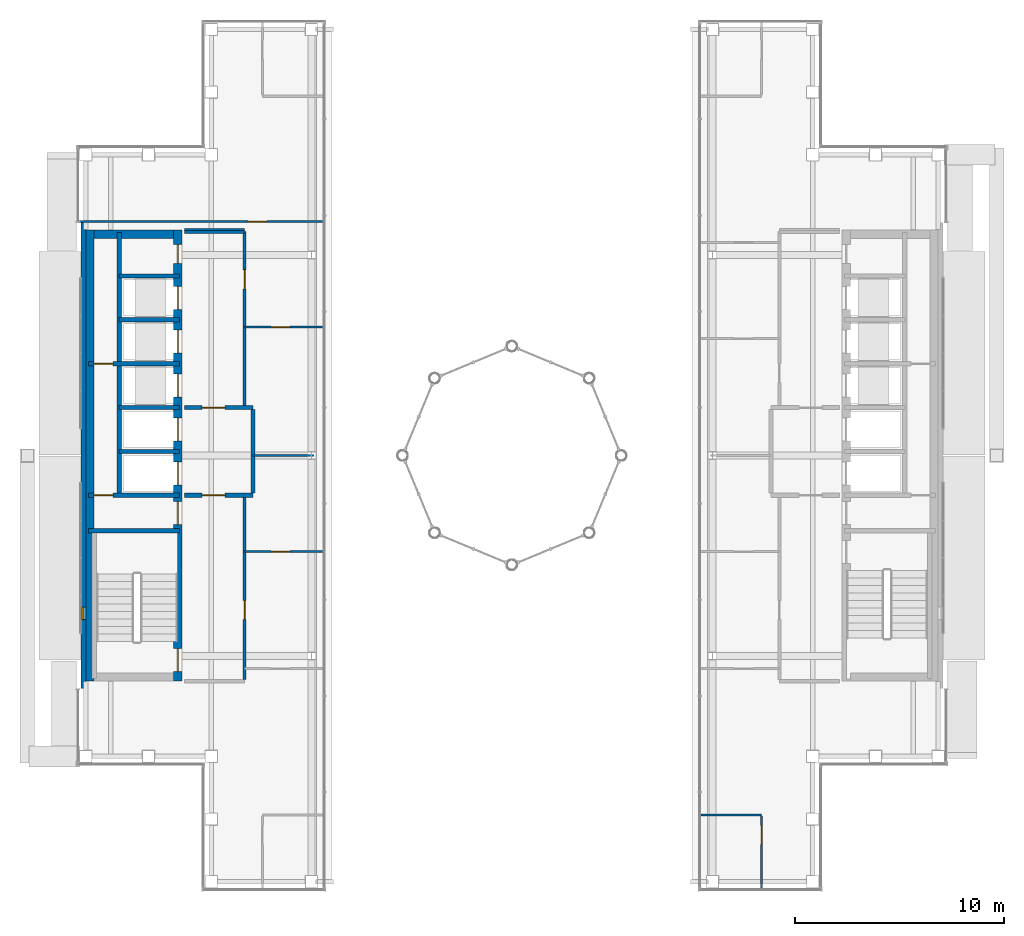
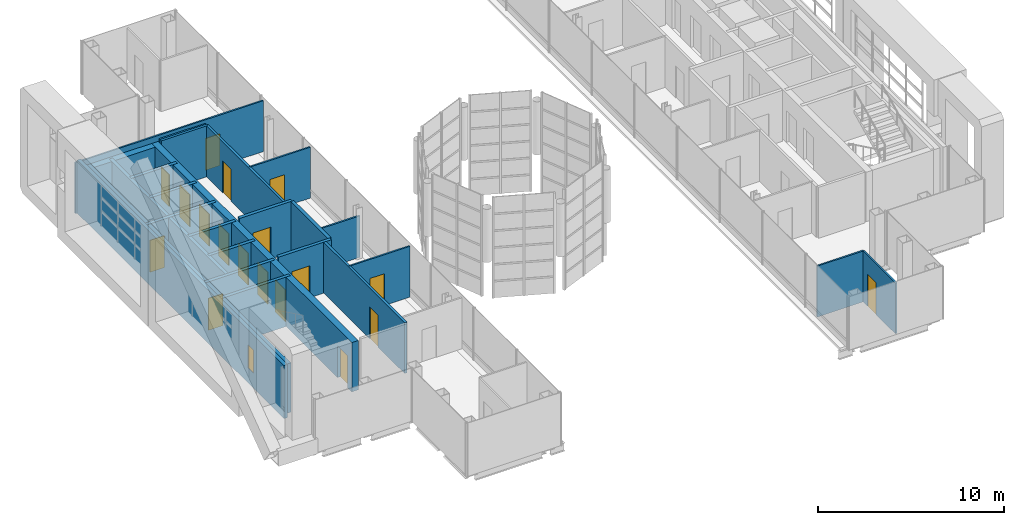
# One storey, part 13 of 21: 26 walls, 18 doors, 1 window, 19 openings.
"""IFC4 building model written with IfcOpenShell, lengths in metres."""

from ifc_helpers import new_model, si_unit, direction, frame, frame_2d, origin, place, context, subcontext, project, spatial, rectangle, extrude, material, layer, layer_set, type_object, element, fill, save


model = new_model("IFC4")

# Units and contexts
model_context = context("Model", 3, precision=1e-05, world=origin(), true_north=direction((0.0, 1.0)))
body_context = subcontext(model_context, "Body", "Model", "MODEL_VIEW")
ifc_project = project(units=[si_unit("LENGTHUNIT", "METRE"), si_unit("AREAUNIT", "SQUARE_METRE"), si_unit("VOLUMEUNIT", "CUBIC_METRE"), si_unit("PLANEANGLEUNIT", "RADIAN"), si_unit("MASSUNIT", "GRAM", prefix="KILO")], contexts=[model_context])

# Site, building, storey
site_placement = place(None, origin())
site = spatial("IfcSite", under=ifc_project, at=site_placement, CompositionType="ELEMENT")
building_placement = place(site_placement, origin())
building = spatial("IfcBuilding", under=site, at=building_placement, Name="Cobrizo Arcos Hotel Tower", CompositionType="ELEMENT")
storey_placement = place(building_placement, frame((0.0, 0.0, 276.0)))
storey = spatial("IfcBuildingStorey", under=building, at=storey_placement, Name="L73", CompositionType="ELEMENT", Elevation=276.0)

# Walls
ifc_material_1 = material(Name="Gypsum board partition")
ifc_layer_1 = layer(ifc_material_1, 0.14990234375)
ifc_layer_set_1 = layer_set([ifc_layer_1], Name="Corridor wall EI 60 150")
wall_type_1 = type_object("IfcWallType", Name="Corridor wall EI 60 150", PredefinedType="PARTITIONING", material=ifc_layer_set_1)
for number, where, z_axis, x_axis, name in (
    (1, (-15.679931640625, 10.699951171875, 0.0), (0.0, 0.0, 1.0), (1.0, 0.0, 0.0), "Partition 032"),
    (2, (-15.679931640625, 10.800048828125, 0.0), (0.0, 0.0, 1.0), (1.0, 0.0, 0.0), "Partition 034"),
):
    element("IfcWall", number, at=place(storey_placement, frame(where, z_axis=z_axis, x_axis=x_axis)), inside=storey, type_object=wall_type_1, Name=name, PredefinedType="PARTITIONING", context=body_context, shape_type="SweptSolid", body=[
        extrude(rectangle(XDim=2.8798828125, YDim=0.14990234375, at=frame_2d((1.43994140625, 0.0))), origin(), (0.0, 0.0, 1.0), 3.35009765625),
    ])

# Wall, opening, door
wall_1_placement = place(storey_placement, frame((-12.800048828125, -10.72509765625, 0.0), z_axis=(0.0, 0.0, 1.0), x_axis=(0.0, 1.0, 0.0)))
wall_1 = element("IfcWall", 3, at=wall_1_placement, inside=storey, type_object=wall_type_1, Name="Partition 042", PredefinedType="PARTITIONING", context=body_context, shape_type="SweptSolid", body=[
    extrude(rectangle(XDim=8.72509765625, YDim=0.14990234375, at=frame_2d((4.362548828125, 0.0))), origin(), (0.0, 0.0, 1.0), 3.35009765625),
])
opening_1_placement = place(wall_1_placement, frame((2.8798828125, 0.0, 0.0)))
opening_1 = element("IfcOpeningElement", 4, at=opening_1_placement, cuts=wall_1, Name="Opening RD-16", PredefinedType="OPENING", context=body_context, shape_type="SweptSolid", body=[
    extrude(rectangle(XDim=0.89990234375, YDim=2.10009765625, at=frame_2d((0.449951171875, 1.050048828125))), frame((0.0, 0.0869140625, 0.0), z_axis=(0.0, -1.0, 0.0), x_axis=(1.0, 0.0, 0.0)), (0.0, 0.0, 1.0), 0.173828125),
])
ifc_material_2 = material(Name="Timber door leaf", Category="wood")
door_type_1 = type_object("IfcDoorType", Name="Room door FD30 900x2100", OperationType="SINGLE_SWING_LEFT", PredefinedType="DOOR", material=ifc_material_2)
door_1_placement = place(opening_1_placement, origin())
door_1 = element("IfcDoor", 5, at=door_1_placement, inside=storey, type_object=door_type_1, Name="Door RD-16", OperationType="SINGLE_SWING_RIGHT", OverallHeight=2.10009765625, OverallWidth=0.89990234375, PredefinedType="DOOR", context=body_context, shape_type="SweptSolid", body=[
    extrude(rectangle(XDim=0.89990234375, YDim=2.10009765625, at=frame_2d((0.449951171875, 1.050048828125))), frame((0.0, 0.02490234375, 0.0), z_axis=(0.0, -1.0, 0.0), x_axis=(1.0, 0.0, 0.0)), (0.0, 0.0, 1.0), 0.050048828125),
])
fill(opening_1, door_1)

wall_2_placement = place(storey_placement, frame((-12.800048828125, 2.39990234375, 0.0), z_axis=(0.0, 0.0, 1.0), x_axis=(0.0, 1.0, 0.0)))
wall_2 = element("IfcWall", 6, at=wall_2_placement, inside=storey, type_object=wall_type_1, Name="Partition 043", PredefinedType="PARTITIONING", context=body_context, shape_type="SweptSolid", body=[
    extrude(rectangle(XDim=8.3251953125, YDim=0.14990234375, at=frame_2d((4.16259765625, 0.0))), origin(), (0.0, 0.0, 1.0), 3.35009765625),
])
opening_2_placement = place(wall_2_placement, frame((5.5849609375, 0.0, 0.0)))
opening_2 = element("IfcOpeningElement", 7, at=opening_2_placement, cuts=wall_2, Name="Opening RD-13", PredefinedType="OPENING", context=body_context, shape_type="SweptSolid", body=[
    extrude(rectangle(XDim=0.89990234375, YDim=2.10009765625, at=frame_2d((0.449951171875, 1.050048828125))), frame((0.0, 0.0869140625, 0.0), z_axis=(0.0, -1.0, 0.0), x_axis=(1.0, 0.0, 0.0)), (0.0, 0.0, 1.0), 0.173828125),
])
door_2_placement = place(opening_2_placement, origin())
door_2 = element("IfcDoor", 8, at=door_2_placement, inside=storey, type_object=door_type_1, Name="Door RD-13", OperationType="SINGLE_SWING_LEFT", OverallHeight=2.10009765625, OverallWidth=0.89990234375, PredefinedType="DOOR", context=body_context, shape_type="SweptSolid", body=[
    extrude(rectangle(XDim=0.89990234375, YDim=2.10009765625, at=frame_2d((0.449951171875, 1.050048828125))), frame((0.0, 0.02490234375, 0.0), z_axis=(0.0, -1.0, 0.0), x_axis=(1.0, 0.0, 0.0)), (0.0, 0.0, 1.0), 0.050048828125),
])
fill(opening_2, door_2)

# Wall, opening, window
ifc_material_3 = material(Name="Aluminium composite panel pale metal", Category="aluminium")
ifc_layer_2 = layer(ifc_material_3, 0.22509765625)
ifc_layer_set_2 = layer_set([ifc_layer_2], Name="EW-1 insulated panel wall 225")
wall_type_2 = type_object("IfcWallType", Name="EW-1 insulated panel wall 225", PredefinedType="SOLIDWALL", material=ifc_layer_set_2)
wall_3_placement = place(storey_placement, frame((-20.512451171875, 11.14990234375, 0.0), z_axis=(0.0, 0.0, 1.0), x_axis=(0.0, -1.0, 0.0)))
wall_3 = element("IfcWall", 9, at=wall_3_placement, inside=storey, type_object=wall_type_2, Name="Core face wall L73 W", PredefinedType="SOLIDWALL", context=body_context, shape_type="SweptSolid", body=[
    extrude(rectangle(XDim=22.2998046875, YDim=0.22509765625, at=frame_2d((11.14990234375, 0.0))), origin(), (0.0, 0.0, 1.0), 3.5),
])
opening_3_placement = place(wall_3_placement, frame((18.39990234375, 0.0, 1.0)))
opening_3 = element("IfcOpeningElement", 10, at=opening_3_placement, cuts=wall_3, Name="Opening W-166", PredefinedType="OPENING", context=body_context, shape_type="SweptSolid", body=[
    extrude(rectangle(XDim=0.60009765625, YDim=1.5, at=frame_2d((0.300048828125, 0.75))), frame((0.0, 0.12451171875, 0.0), z_axis=(0.0, -1.0, 0.0), x_axis=(1.0, 0.0, 0.0)), (0.0, 0.0, 1.0), 0.2490234375),
])
ifc_material_4 = material(Name="Aluminium 6063-T6 and clear laminated glass", Category="aluminium")
window_type = type_object("IfcWindowType", Name="W-C1 core stair slot window 600x1500", PartitioningType="SINGLE_PANEL", PredefinedType="WINDOW", material=ifc_material_4)
window_placement = place(opening_3_placement, origin())
window = element("IfcWindow", 11, at=window_placement, inside=storey, type_object=window_type, Name="Core face wall L73 W window W-166", OverallHeight=1.5, OverallWidth=0.60009765625, PartitioningType="SINGLE_PANEL", PredefinedType="WINDOW", context=body_context, shape_type="SweptSolid", body=[
    extrude(rectangle(XDim=0.60009765625, YDim=1.5, at=frame_2d((0.300048828125, 0.75))), frame((0.0, -0.0224609375, 0.0), z_axis=(0.0, -1.0, 0.0), x_axis=(1.0, 0.0, 0.0)), (0.0, 0.0, 1.0), 0.06005859375),
])
fill(opening_3, window)

# Wall
ifc_layer_3 = layer(ifc_material_1, 0.10009765625)
ifc_layer_set_3 = layer_set([ifc_layer_3], Name="Partition EI 30 100")
wall_type_3 = type_object("IfcWallType", Name="Partition EI 30 100", PredefinedType="PARTITIONING", material=ifc_layer_set_3)
wall_4_placement = place(storey_placement, frame((9.034912109375, -17.199951171875, 0.0), z_axis=(0.0, 0.0, 1.0), x_axis=(1.0, 0.0, 0.0)))
element("IfcWall", 12, at=wall_4_placement, inside=storey, type_object=wall_type_3, Name="Partition 002", PredefinedType="PARTITIONING", context=body_context, shape_type="SweptSolid", body=[
    extrude(rectangle(XDim=2.9150390625, YDim=0.10009765625, at=frame_2d((1.45751953125, 0.0))), origin(), (0.0, 0.0, 1.0), 3.35009765625),
])

# Wall, opening, door
wall_5_placement = place(storey_placement, frame((-12.800048828125, -4.60009765625, 0.0), z_axis=(0.0, 0.0, 1.0), x_axis=(1.0, 0.0, 0.0)))
wall_5 = element("IfcWall", 13, at=wall_5_placement, inside=storey, type_object=wall_type_3, Name="Partition 007", PredefinedType="PARTITIONING", context=body_context, shape_type="SweptSolid", body=[
    extrude(rectangle(XDim=3.76513671875, YDim=0.10009765625, at=frame_2d((1.882568359375, 0.0))), origin(), (0.0, 0.0, 1.0), 3.35009765625),
])
opening_4_placement = place(wall_5_placement, frame((1.26806640625, 0.0, 0.0)))
opening_4 = element("IfcOpeningElement", 14, at=opening_4_placement, cuts=wall_5, Name="Opening RD-17", PredefinedType="OPENING", context=body_context, shape_type="SweptSolid", body=[
    extrude(rectangle(XDim=0.89990234375, YDim=2.10009765625, at=frame_2d((0.449951171875, 1.050048828125))), frame((0.0, 0.06201171875, 0.0), z_axis=(0.0, -1.0, 0.0), x_axis=(1.0, 0.0, 0.0)), (0.0, 0.0, 1.0), 0.1240234375),
])
door_3_placement = place(opening_4_placement, origin())
door_3 = element("IfcDoor", 15, at=door_3_placement, inside=storey, type_object=door_type_1, Name="Door RD-17", OperationType="SINGLE_SWING_RIGHT", OverallHeight=2.10009765625, OverallWidth=0.89990234375, PredefinedType="DOOR", context=body_context, shape_type="SweptSolid", body=[
    extrude(rectangle(XDim=0.89990234375, YDim=2.10009765625, at=frame_2d((0.449951171875, 1.050048828125))), frame((0.0, 0.02490234375, 0.0), z_axis=(0.0, -1.0, 0.0), x_axis=(1.0, 0.0, 0.0)), (0.0, 0.0, 1.0), 0.050048828125),
])
fill(opening_4, door_3)

# Wall
wall_6_placement = place(storey_placement, frame((-12.39990234375, 0.0, 0.0), z_axis=(0.0, 0.0, 1.0), x_axis=(1.0, 0.0, 0.0)))
element("IfcWall", 16, at=wall_6_placement, inside=storey, type_object=wall_type_3, Name="Partition 015", PredefinedType="PARTITIONING", context=body_context, shape_type="SweptSolid", body=[
    extrude(rectangle(XDim=2.914794921875, YDim=0.10009765625, at=frame_2d((1.45751953125, 0.0))), origin(), (0.0, 0.0, 1.0), 2.72802734375),
])

# Wall, opening, door
wall_7_placement = place(storey_placement, frame((-12.800048828125, 6.14990234375, 0.0), z_axis=(0.0, 0.0, 1.0), x_axis=(1.0, 0.0, 0.0)))
wall_7 = element("IfcWall", 17, at=wall_7_placement, inside=storey, type_object=wall_type_3, Name="Partition 026", PredefinedType="PARTITIONING", context=body_context, shape_type="SweptSolid", body=[
    extrude(rectangle(XDim=3.76513671875, YDim=0.10009765625, at=frame_2d((1.882568359375, 0.0))), origin(), (0.0, 0.0, 1.0), 3.35009765625),
])
opening_5_placement = place(wall_7_placement, frame((1.26806640625, 0.0, 0.0)))
opening_5 = element("IfcOpeningElement", 18, at=opening_5_placement, cuts=wall_7, Name="Opening RD-14", PredefinedType="OPENING", context=body_context, shape_type="SweptSolid", body=[
    extrude(rectangle(XDim=0.89990234375, YDim=2.10009765625, at=frame_2d((0.449951171875, 1.050048828125))), frame((0.0, 0.06201171875, 0.0), z_axis=(0.0, -1.0, 0.0), x_axis=(1.0, 0.0, 0.0)), (0.0, 0.0, 1.0), 0.1240234375),
])
door_4_placement = place(opening_5_placement, origin())
door_4 = element("IfcDoor", 19, at=door_4_placement, inside=storey, type_object=door_type_1, Name="Door RD-14", OperationType="SINGLE_SWING_RIGHT", OverallHeight=2.10009765625, OverallWidth=0.89990234375, PredefinedType="DOOR", context=body_context, shape_type="SweptSolid", body=[
    extrude(rectangle(XDim=0.89990234375, YDim=2.10009765625, at=frame_2d((0.449951171875, 1.050048828125))), frame((0.0, 0.02490234375, 0.0), z_axis=(0.0, -1.0, 0.0), x_axis=(1.0, 0.0, 0.0)), (0.0, 0.0, 1.0), 0.050048828125),
])
fill(opening_5, door_4)

wall_8_placement = place(storey_placement, frame((-20.72998046875, 11.199951171875, 0.0), z_axis=(0.0, 0.0, 1.0), x_axis=(1.0, 0.0, 0.0)))
wall_8 = element("IfcWall", 20, at=wall_8_placement, inside=storey, type_object=wall_type_3, Name="Partition 036", PredefinedType="PARTITIONING", context=body_context, shape_type="SweptSolid", body=[
    extrude(rectangle(XDim=11.695068359375, YDim=0.10009765625, at=frame_2d((5.84765625, 0.0))), origin(), (0.0, 0.0, 1.0), 3.35009765625),
])
opening_6_placement = place(wall_8_placement, frame((8.097900390625, 0.0, 0.0)))
opening_6 = element("IfcOpeningElement", 21, at=opening_6_placement, cuts=wall_8, Name="Opening RD-15", PredefinedType="OPENING", context=body_context, shape_type="SweptSolid", body=[
    extrude(rectangle(XDim=0.89990234375, YDim=2.10009765625, at=frame_2d((0.449951171875, 1.050048828125))), frame((0.0, 0.06201171875, 0.0), z_axis=(0.0, -1.0, 0.0), x_axis=(1.0, 0.0, 0.0)), (0.0, 0.0, 1.0), 0.1240234375),
])
door_5_placement = place(opening_6_placement, origin())
door_5 = element("IfcDoor", 22, at=door_5_placement, inside=storey, type_object=door_type_1, Name="Door RD-15", OperationType="SINGLE_SWING_RIGHT", OverallHeight=2.10009765625, OverallWidth=0.89990234375, PredefinedType="DOOR", context=body_context, shape_type="SweptSolid", body=[
    extrude(rectangle(XDim=0.89990234375, YDim=2.10009765625, at=frame_2d((0.449951171875, 1.050048828125))), frame((0.0, 0.02490234375, 0.0), z_axis=(0.0, -1.0, 0.0), x_axis=(1.0, 0.0, 0.0)), (0.0, 0.0, 1.0), 0.050048828125),
])
fill(opening_6, door_5)

wall_9_placement = place(storey_placement, frame((11.949951171875, -20.72998046875, 0.0), z_axis=(0.0, 0.0, 1.0), x_axis=(0.0, 1.0, 0.0)))
wall_9 = element("IfcWall", 23, at=wall_9_placement, inside=storey, type_object=wall_type_3, Name="Partition 047", PredefinedType="PARTITIONING", context=body_context, shape_type="SweptSolid", body=[
    extrude(rectangle(XDim=3.47998046875, YDim=0.10009765625, at=frame_2d((1.739990234375, 0.0))), origin(), (0.0, 0.0, 1.0), 3.35009765625),
])
opening_7_placement = place(wall_9_placement, frame((2.1201171875, 0.0, 0.0)))
opening_7 = element("IfcOpeningElement", 24, at=opening_7_placement, cuts=wall_9, Name="Opening ED-02", PredefinedType="OPENING", context=body_context, shape_type="SweptSolid", body=[
    extrude(rectangle(XDim=0.89990234375, YDim=2.10009765625, at=frame_2d((0.449951171875, 1.050048828125))), frame((0.0, 0.06201171875, 0.0), z_axis=(0.0, -1.0, 0.0), x_axis=(1.0, 0.0, 0.0)), (0.0, 0.0, 1.0), 0.1240234375),
])
door_type_2 = type_object("IfcDoorType", Name="En-suite door 900x2100", OperationType="SINGLE_SWING_LEFT", PredefinedType="DOOR", material=ifc_material_2)
door_6_placement = place(opening_7_placement, origin())
door_6 = element("IfcDoor", 25, at=door_6_placement, inside=storey, type_object=door_type_2, Name="Door ED-02", OperationType="SINGLE_SWING_RIGHT", OverallHeight=2.10009765625, OverallWidth=0.89990234375, PredefinedType="DOOR", context=body_context, shape_type="SweptSolid", body=[
    extrude(rectangle(XDim=0.89990234375, YDim=2.10009765625, at=frame_2d((0.449951171875, 1.050048828125))), frame((0.0, 0.02490234375, 0.0), z_axis=(0.0, -1.0, 0.0), x_axis=(1.0, 0.0, 0.0)), (0.0, 0.0, 1.0), 0.050048828125),
])
fill(opening_7, door_6)

# Wall, openings, doors
ifc_material_5 = material(Name="Concrete f'c 40 MPa", Category="concrete")
ifc_layer_4 = layer(ifc_material_5, 0.39990234375)
ifc_layer_set_4 = layer_set([ifc_layer_4], Name="RC core wall 400 f'c 40")
wall_type_4 = type_object("IfcWallType", Name="RC core wall 400 f'c 40", PredefinedType="SHEAR", material=ifc_layer_set_4)
wall_10_placement = place(storey_placement, frame((-16.0, -10.800048828125, 0.0), z_axis=(0.0, 0.0, 1.0), x_axis=(0.0, 1.0, 0.0)))
wall_10 = element("IfcWall", 26, at=wall_10_placement, inside=storey, type_object=wall_type_4, Name="Core wall CW4, west core, inner face, L73", PredefinedType="SHEAR", context=body_context, shape_type="SweptSolid", body=[
    extrude(rectangle(XDim=21.60009765625, YDim=0.39990234375, at=frame_2d((10.800048828125, 0.0))), origin(), (0.0, 0.0, 1.0), 3.25),
])
opening_8_placement = place(wall_10_placement, frame((9.39990234375, 0.0, 0.0)))
opening_8 = element("IfcOpeningElement", 27, at=opening_8_placement, cuts=wall_10, Name="Opening LD-01", PredefinedType="OPENING", context=body_context, shape_type="SweptSolid", body=[
    extrude(rectangle(XDim=1.10009765625, YDim=2.10009765625, at=frame_2d((0.550048828125, 1.050048828125))), frame((0.0, 0.2119140625, 0.0), z_axis=(0.0, -1.0, 0.0), x_axis=(1.0, 0.0, 0.0)), (0.0, 0.0, 1.0), 0.423828125),
])
opening_9_placement = place(wall_10_placement, frame((11.5, 0.0, 0.0)))
opening_9 = element("IfcOpeningElement", 28, at=opening_9_placement, cuts=wall_10, Name="Opening LD-02", PredefinedType="OPENING", context=body_context, shape_type="SweptSolid", body=[
    extrude(rectangle(XDim=1.10009765625, YDim=2.10009765625, at=frame_2d((0.550048828125, 1.050048828125))), frame((0.0, 0.2119140625, 0.0), z_axis=(0.0, -1.0, 0.0), x_axis=(1.0, 0.0, 0.0)), (0.0, 0.0, 1.0), 0.423828125),
])
opening_10_placement = place(wall_10_placement, frame((13.60009765625, 0.0, 0.0)))
opening_10 = element("IfcOpeningElement", 29, at=opening_10_placement, cuts=wall_10, Name="Opening LD-03", PredefinedType="OPENING", context=body_context, shape_type="SweptSolid", body=[
    extrude(rectangle(XDim=1.10009765625, YDim=2.10009765625, at=frame_2d((0.550048828125, 1.050048828125))), frame((0.0, 0.2119140625, 0.0), z_axis=(0.0, -1.0, 0.0), x_axis=(1.0, 0.0, 0.0)), (0.0, 0.0, 1.0), 0.423828125),
])
opening_11_placement = place(wall_10_placement, frame((15.699951171875, 0.0, 0.0)))
opening_11 = element("IfcOpeningElement", 30, at=opening_11_placement, cuts=wall_10, Name="Opening LD-04", PredefinedType="OPENING", context=body_context, shape_type="SweptSolid", body=[
    extrude(rectangle(XDim=1.10009765625, YDim=2.10009765625, at=frame_2d((0.550048828125, 1.050048828125))), frame((0.0, 0.2119140625, 0.0), z_axis=(0.0, -1.0, 0.0), x_axis=(1.0, 0.0, 0.0)), (0.0, 0.0, 1.0), 0.423828125),
])
opening_12_placement = place(wall_10_placement, frame((17.800048828125, 0.0, 0.0)))
opening_12 = element("IfcOpeningElement", 31, at=opening_12_placement, cuts=wall_10, Name="Opening LD-05", PredefinedType="OPENING", context=body_context, shape_type="SweptSolid", body=[
    extrude(rectangle(XDim=1.10009765625, YDim=2.10009765625, at=frame_2d((0.550048828125, 1.050048828125))), frame((0.0, 0.2119140625, 0.0), z_axis=(0.0, -1.0, 0.0), x_axis=(1.0, 0.0, 0.0)), (0.0, 0.0, 1.0), 0.423828125),
])
opening_13_placement = place(wall_10_placement, frame((0.4580078125, 0.0, 0.0)))
opening_13 = element("IfcOpeningElement", 32, at=opening_13_placement, cuts=wall_10, Name="Opening SD-01", PredefinedType="OPENING", context=body_context, shape_type="SweptSolid", body=[
    extrude(rectangle(XDim=1.10009765625, YDim=2.10009765625, at=frame_2d((0.550048828125, 1.050048828125))), frame((0.0, 0.2119140625, 0.0), z_axis=(0.0, -1.0, 0.0), x_axis=(1.0, 0.0, 0.0)), (0.0, 0.0, 1.0), 0.423828125),
])
opening_14_placement = place(wall_10_placement, frame((7.5, 0.0, 0.0)))
opening_14 = element("IfcOpeningElement", 33, at=opening_14_placement, cuts=wall_10, Name="Opening FD-01", PredefinedType="OPENING", context=body_context, shape_type="SweptSolid", body=[
    extrude(rectangle(XDim=1.10009765625, YDim=2.10009765625, at=frame_2d((0.550048828125, 1.050048828125))), frame((0.0, 0.2119140625, 0.0), z_axis=(0.0, -1.0, 0.0), x_axis=(1.0, 0.0, 0.0)), (0.0, 0.0, 1.0), 0.423828125),
])
opening_15_placement = place(wall_10_placement, frame((20.0, 0.0, 0.0)))
opening_15 = element("IfcOpeningElement", 34, at=opening_15_placement, cuts=wall_10, Name="Opening RD-01", PredefinedType="OPENING", context=body_context, shape_type="SweptSolid", body=[
    extrude(rectangle(XDim=0.89990234375, YDim=2.10009765625, at=frame_2d((0.449951171875, 1.050048828125))), frame((0.0, 0.2119140625, 0.0), z_axis=(0.0, -1.0, 0.0), x_axis=(1.0, 0.0, 0.0)), (0.0, 0.0, 1.0), 0.423828125),
])
ifc_material_6 = material(Name="Steel door leaf", Category="steel")
door_type_3 = type_object("IfcDoorType", Name="Fire door FD60 1100x2100", OperationType="SINGLE_SWING_LEFT", PredefinedType="DOOR", material=ifc_material_6)
door_7_placement = place(opening_14_placement, origin())
door_7 = element("IfcDoor", 35, at=door_7_placement, inside=storey, type_object=door_type_3, Name="Door FD-01", OperationType="SINGLE_SWING_LEFT", OverallHeight=2.10009765625, OverallWidth=1.10009765625, PredefinedType="DOOR", context=body_context, shape_type="SweptSolid", body=[
    extrude(rectangle(XDim=1.10009765625, YDim=2.10009765625, at=frame_2d((0.550048828125, 1.050048828125))), frame((0.0, 0.02490234375, 0.0), z_axis=(0.0, -1.0, 0.0), x_axis=(1.0, 0.0, 0.0)), (0.0, 0.0, 1.0), 0.050048828125),
])
fill(opening_14, door_7)
door_type_4 = type_object("IfcDoorType", Name="Lift landing door 1100x2100", OperationType="SLIDING_TO_LEFT", PredefinedType="DOOR", material=ifc_material_6)
door_8_placement = place(opening_8_placement, origin())
door_8 = element("IfcDoor", 36, at=door_8_placement, inside=storey, type_object=door_type_4, Name="Lift landing door LD-01", OperationType="SLIDING_TO_LEFT", OverallHeight=2.10009765625, OverallWidth=1.10009765625, PredefinedType="DOOR", context=body_context, shape_type="SweptSolid", body=[
    extrude(rectangle(XDim=1.10009765625, YDim=2.10009765625, at=frame_2d((0.550048828125, 1.050048828125))), frame((0.0, 0.02490234375, 0.0), z_axis=(0.0, -1.0, 0.0), x_axis=(1.0, 0.0, 0.0)), (0.0, 0.0, 1.0), 0.050048828125),
])
fill(opening_8, door_8)
door_9_placement = place(opening_9_placement, origin())
door_9 = element("IfcDoor", 37, at=door_9_placement, inside=storey, type_object=door_type_4, Name="Lift landing door LD-02", OperationType="SLIDING_TO_LEFT", OverallHeight=2.10009765625, OverallWidth=1.10009765625, PredefinedType="DOOR", context=body_context, shape_type="SweptSolid", body=[
    extrude(rectangle(XDim=1.10009765625, YDim=2.10009765625, at=frame_2d((0.550048828125, 1.050048828125))), frame((0.0, 0.02490234375, 0.0), z_axis=(0.0, -1.0, 0.0), x_axis=(1.0, 0.0, 0.0)), (0.0, 0.0, 1.0), 0.050048828125),
])
fill(opening_9, door_9)
door_10_placement = place(opening_10_placement, origin())
door_10 = element("IfcDoor", 38, at=door_10_placement, inside=storey, type_object=door_type_4, Name="Lift landing door LD-03", OperationType="SLIDING_TO_LEFT", OverallHeight=2.10009765625, OverallWidth=1.10009765625, PredefinedType="DOOR", context=body_context, shape_type="SweptSolid", body=[
    extrude(rectangle(XDim=1.10009765625, YDim=2.10009765625, at=frame_2d((0.550048828125, 1.050048828125))), frame((0.0, 0.02490234375, 0.0), z_axis=(0.0, -1.0, 0.0), x_axis=(1.0, 0.0, 0.0)), (0.0, 0.0, 1.0), 0.050048828125),
])
fill(opening_10, door_10)
door_11_placement = place(opening_11_placement, origin())
door_11 = element("IfcDoor", 39, at=door_11_placement, inside=storey, type_object=door_type_4, Name="Lift landing door LD-04", OperationType="SLIDING_TO_LEFT", OverallHeight=2.10009765625, OverallWidth=1.10009765625, PredefinedType="DOOR", context=body_context, shape_type="SweptSolid", body=[
    extrude(rectangle(XDim=1.10009765625, YDim=2.10009765625, at=frame_2d((0.550048828125, 1.050048828125))), frame((0.0, 0.02490234375, 0.0), z_axis=(0.0, -1.0, 0.0), x_axis=(1.0, 0.0, 0.0)), (0.0, 0.0, 1.0), 0.050048828125),
])
fill(opening_11, door_11)
door_12_placement = place(opening_12_placement, origin())
door_12 = element("IfcDoor", 40, at=door_12_placement, inside=storey, type_object=door_type_4, Name="Lift landing door LD-05", OperationType="SLIDING_TO_LEFT", OverallHeight=2.10009765625, OverallWidth=1.10009765625, PredefinedType="DOOR", context=body_context, shape_type="SweptSolid", body=[
    extrude(rectangle(XDim=1.10009765625, YDim=2.10009765625, at=frame_2d((0.550048828125, 1.050048828125))), frame((0.0, 0.02490234375, 0.0), z_axis=(0.0, -1.0, 0.0), x_axis=(1.0, 0.0, 0.0)), (0.0, 0.0, 1.0), 0.050048828125),
])
fill(opening_12, door_12)
door_13_placement = place(opening_15_placement, origin())
door_13 = element("IfcDoor", 41, at=door_13_placement, inside=storey, type_object=door_type_1, Name="Door RD-01", OperationType="SINGLE_SWING_LEFT", OverallHeight=2.10009765625, OverallWidth=0.89990234375, PredefinedType="DOOR", context=body_context, shape_type="SweptSolid", body=[
    extrude(rectangle(XDim=0.89990234375, YDim=2.10009765625, at=frame_2d((0.449951171875, 1.050048828125))), frame((0.0, 0.02490234375, 0.0), z_axis=(0.0, -1.0, 0.0), x_axis=(1.0, 0.0, 0.0)), (0.0, 0.0, 1.0), 0.050048828125),
])
fill(opening_15, door_13)
door_type_5 = type_object("IfcDoorType", Name="Stair door FD60S 1100x2100", OperationType="SINGLE_SWING_LEFT", PredefinedType="DOOR", material=ifc_material_6)
door_14_placement = place(opening_13_placement, origin())
door_14 = element("IfcDoor", 42, at=door_14_placement, inside=storey, type_object=door_type_5, Name="Door SD-01", OperationType="SINGLE_SWING_LEFT", OverallHeight=2.10009765625, OverallWidth=1.10009765625, PredefinedType="DOOR", context=body_context, shape_type="SweptSolid", body=[
    extrude(rectangle(XDim=1.10009765625, YDim=2.10009765625, at=frame_2d((0.550048828125, 1.050048828125))), frame((0.0, 0.02490234375, 0.0), z_axis=(0.0, -1.0, 0.0), x_axis=(1.0, 0.0, 0.0)), (0.0, 0.0, 1.0), 0.050048828125),
])
fill(opening_13, door_14)

# Walls
wall_11_placement = place(storey_placement, frame((-20.199951171875, -10.800048828125, 0.0), z_axis=(0.0, 0.0, 1.0), x_axis=(0.0, 1.0, 0.0)))
element("IfcWall", 43, at=wall_11_placement, inside=storey, type_object=wall_type_4, Name="Core wall CW4, west core, outer face, L73", PredefinedType="SHEAR", context=body_context, shape_type="SweptSolid", body=[
    extrude(rectangle(XDim=21.60009765625, YDim=0.39990234375, at=frame_2d((10.800048828125, 0.0))), origin(), (0.0, 0.0, 1.0), 3.25),
])
wall_12_placement = place(storey_placement, frame((-20.0, 10.60009765625, 0.0), z_axis=(0.0, 0.0, 1.0), x_axis=(1.0, 0.0, 0.0)))
element("IfcWall", 44, at=wall_12_placement, inside=storey, type_object=wall_type_4, Name="Core wall CW4, west core, north end, L73", PredefinedType="SHEAR", context=body_context, shape_type="SweptSolid", body=[
    extrude(rectangle(XDim=3.800048828125, YDim=0.39990234375, at=frame_2d((1.89990234375, 0.0))), origin(), (0.0, 0.0, 1.0), 3.25),
])

# Wall, opening, door
ifc_layer_5 = layer(ifc_material_1, 0.199951171875)
ifc_layer_set_5 = layer_set([ifc_layer_5], Name="Shaft wall EI 120 200")
wall_type_5 = type_object("IfcWallType", Name="Shaft wall EI 120 200", PredefinedType="PARTITIONING", material=ifc_layer_set_5)
wall_13_placement = place(storey_placement, frame((-20.280029296875, -1.89990234375, 0.0), z_axis=(0.0, 0.0, 1.0), x_axis=(1.0, 0.0, 0.0)))
wall_13 = element("IfcWall", 45, at=wall_13_placement, inside=storey, type_object=wall_type_5, Name="Partition 011", PredefinedType="PARTITIONING", context=body_context, shape_type="SweptSolid", body=[
    extrude(rectangle(XDim=4.360107421875, YDim=0.199951171875, at=frame_2d((2.18017578125, 0.0))), origin(), (0.0, 0.0, 1.0), 3.25),
])
opening_16_placement = place(wall_13_placement, frame((0.280029296875, 0.0, 0.0)))
opening_16 = element("IfcOpeningElement", 46, at=opening_16_placement, cuts=wall_13, Name="Opening RD-02", PredefinedType="OPENING", context=body_context, shape_type="SweptSolid", body=[
    extrude(rectangle(XDim=0.89990234375, YDim=2.10009765625, at=frame_2d((0.449951171875, 1.050048828125))), frame((0.0, 0.112060546875, 0.0), z_axis=(0.0, -1.0, 0.0), x_axis=(1.0, 0.0, 0.0)), (0.0, 0.0, 1.0), 0.223876953125),
])
door_15_placement = place(opening_16_placement, origin())
door_15 = element("IfcDoor", 47, at=door_15_placement, inside=storey, type_object=door_type_1, Name="Door RD-02", OperationType="SINGLE_SWING_RIGHT", OverallHeight=2.10009765625, OverallWidth=0.89990234375, PredefinedType="DOOR", context=body_context, shape_type="SweptSolid", body=[
    extrude(rectangle(XDim=0.89990234375, YDim=2.10009765625, at=frame_2d((0.449951171875, 1.050048828125))), frame((0.0, 0.02490234375, 0.0), z_axis=(0.0, -1.0, 0.0), x_axis=(1.0, 0.0, 0.0)), (0.0, 0.0, 1.0), 0.050048828125),
])
fill(opening_16, door_15)

wall_14_placement = place(storey_placement, frame((-15.679931640625, -1.89990234375, 0.0), z_axis=(0.0, 0.0, 1.0), x_axis=(1.0, 0.0, 0.0)))
wall_14 = element("IfcWall", 48, at=wall_14_placement, inside=storey, type_object=wall_type_5, Name="Partition 012", PredefinedType="PARTITIONING", context=body_context, shape_type="SweptSolid", body=[
    extrude(rectangle(XDim=3.280029296875, YDim=0.199951171875, at=frame_2d((1.64013671875, 0.0))), origin(), (0.0, 0.0, 1.0), 3.35009765625),
])
opening_17_placement = place(wall_14_placement, frame((0.840087890625, 0.0, 0.0)))
opening_17 = element("IfcOpeningElement", 49, at=opening_17_placement, cuts=wall_14, Name="Opening FD-03", PredefinedType="OPENING", context=body_context, shape_type="SweptSolid", body=[
    extrude(rectangle(XDim=1.10009765625, YDim=2.10009765625, at=frame_2d((0.550048828125, 1.050048828125))), frame((0.0, 0.112060546875, 0.0), z_axis=(0.0, -1.0, 0.0), x_axis=(1.0, 0.0, 0.0)), (0.0, 0.0, 1.0), 0.223876953125),
])
door_16_placement = place(opening_17_placement, origin())
door_16 = element("IfcDoor", 50, at=door_16_placement, inside=storey, type_object=door_type_3, Name="Door FD-03", OperationType="SINGLE_SWING_RIGHT", OverallHeight=2.10009765625, OverallWidth=1.10009765625, PredefinedType="DOOR", context=body_context, shape_type="SweptSolid", body=[
    extrude(rectangle(XDim=1.10009765625, YDim=2.10009765625, at=frame_2d((0.550048828125, 1.050048828125))), frame((0.0, 0.02490234375, 0.0), z_axis=(0.0, -1.0, 0.0), x_axis=(1.0, 0.0, 0.0)), (0.0, 0.0, 1.0), 0.050048828125),
])
fill(opening_17, door_16)

# Walls
for number, where, z_axis, x_axis, name in (
    (51, (-18.800048828125, 0.199951171875, 0.0), (0.0, 0.0, 1.0), (1.0, 0.0, 0.0), "Partition 017"),
    (52, (-18.800048828125, 2.300048828125, 0.0), (0.0, 0.0, 1.0), (1.0, 0.0, 0.0), "Partition 019"),
):
    element("IfcWall", number, at=place(storey_placement, frame(where, z_axis=z_axis, x_axis=x_axis)), inside=storey, type_object=wall_type_5, Name=name, PredefinedType="PARTITIONING", context=body_context, shape_type="SweptSolid", body=[
        extrude(rectangle(XDim=2.880126953125, YDim=0.199951171875, at=frame_2d((1.43994140625, 0.0))), origin(), (0.0, 0.0, 1.0), 3.25),
    ])

# Wall, opening, door
wall_15_placement = place(storey_placement, frame((-15.679931640625, 2.300048828125, 0.0), z_axis=(0.0, 0.0, 1.0), x_axis=(1.0, 0.0, 0.0)))
wall_15 = element("IfcWall", 53, at=wall_15_placement, inside=storey, type_object=wall_type_5, Name="Partition 020", PredefinedType="PARTITIONING", context=body_context, shape_type="SweptSolid", body=[
    extrude(rectangle(XDim=3.280029296875, YDim=0.199951171875, at=frame_2d((1.64013671875, 0.0))), origin(), (0.0, 0.0, 1.0), 3.35009765625),
])
opening_18_placement = place(wall_15_placement, frame((0.840087890625, 0.0, 0.0)))
opening_18 = element("IfcOpeningElement", 54, at=opening_18_placement, cuts=wall_15, Name="Opening FD-02", PredefinedType="OPENING", context=body_context, shape_type="SweptSolid", body=[
    extrude(rectangle(XDim=1.10009765625, YDim=2.10009765625, at=frame_2d((0.550048828125, 1.050048828125))), frame((0.0, 0.112060546875, 0.0), z_axis=(0.0, -1.0, 0.0), x_axis=(1.0, 0.0, 0.0)), (0.0, 0.0, 1.0), 0.223876953125),
])
door_17_placement = place(opening_18_placement, origin())
door_17 = element("IfcDoor", 55, at=door_17_placement, inside=storey, type_object=door_type_3, Name="Door FD-02", OperationType="SINGLE_SWING_RIGHT", OverallHeight=2.10009765625, OverallWidth=1.10009765625, PredefinedType="DOOR", context=body_context, shape_type="SweptSolid", body=[
    extrude(rectangle(XDim=1.10009765625, YDim=2.10009765625, at=frame_2d((0.550048828125, 1.050048828125))), frame((0.0, 0.02490234375, 0.0), z_axis=(0.0, -1.0, 0.0), x_axis=(1.0, 0.0, 0.0)), (0.0, 0.0, 1.0), 0.050048828125),
])
fill(opening_18, door_17)

wall_16_placement = place(storey_placement, frame((-20.280029296875, 4.39990234375, 0.0), z_axis=(0.0, 0.0, 1.0), x_axis=(1.0, 0.0, 0.0)))
wall_16 = element("IfcWall", 56, at=wall_16_placement, inside=storey, type_object=wall_type_5, Name="Partition 023", PredefinedType="PARTITIONING", context=body_context, shape_type="SweptSolid", body=[
    extrude(rectangle(XDim=4.360107421875, YDim=0.199951171875, at=frame_2d((2.18017578125, 0.0))), origin(), (0.0, 0.0, 1.0), 3.25),
])
opening_19_placement = place(wall_16_placement, frame((0.280029296875, 0.0, 0.0)))
opening_19 = element("IfcOpeningElement", 57, at=opening_19_placement, cuts=wall_16, Name="Opening RD-03", PredefinedType="OPENING", context=body_context, shape_type="SweptSolid", body=[
    extrude(rectangle(XDim=0.89990234375, YDim=2.10009765625, at=frame_2d((0.449951171875, 1.050048828125))), frame((0.0, 0.112060546875, 0.0), z_axis=(0.0, -1.0, 0.0), x_axis=(1.0, 0.0, 0.0)), (0.0, 0.0, 1.0), 0.223876953125),
])
door_18_placement = place(opening_19_placement, origin())
door_18 = element("IfcDoor", 58, at=door_18_placement, inside=storey, type_object=door_type_1, Name="Door RD-03", OperationType="SINGLE_SWING_RIGHT", OverallHeight=2.10009765625, OverallWidth=0.89990234375, PredefinedType="DOOR", context=body_context, shape_type="SweptSolid", body=[
    extrude(rectangle(XDim=0.89990234375, YDim=2.10009765625, at=frame_2d((0.449951171875, 1.050048828125))), frame((0.0, 0.02490234375, 0.0), z_axis=(0.0, -1.0, 0.0), x_axis=(1.0, 0.0, 0.0)), (0.0, 0.0, 1.0), 0.050048828125),
])
fill(opening_19, door_18)

# Walls
for number, where, z_axis, x_axis, name in (
    (59, (-18.800048828125, 6.5, 0.0), (0.0, 0.0, 1.0), (1.0, 0.0, 0.0), "Partition 027"),
    (60, (-18.800048828125, 8.60009765625, 0.0), (0.0, 0.0, 1.0), (1.0, 0.0, 0.0), "Partition 029"),
):
    element("IfcWall", number, at=place(storey_placement, frame(where, z_axis=z_axis, x_axis=x_axis)), inside=storey, type_object=wall_type_5, Name=name, PredefinedType="PARTITIONING", context=body_context, shape_type="SweptSolid", body=[
        extrude(rectangle(XDim=2.880126953125, YDim=0.199951171875, at=frame_2d((1.43994140625, 0.0))), origin(), (0.0, 0.0, 1.0), 3.25),
    ])
wall_17_placement = place(storey_placement, frame((-18.800048828125, -1.800048828125, 0.0), z_axis=(0.0, 0.0, 1.0), x_axis=(0.0, 1.0, 0.0)))
element("IfcWall", 61, at=wall_17_placement, inside=storey, type_object=wall_type_5, Name="Partition 040", PredefinedType="PARTITIONING", context=body_context, shape_type="SweptSolid", body=[
    extrude(rectangle(XDim=6.10009765625, YDim=0.199951171875, at=frame_2d((3.050048828125, 0.0))), origin(), (0.0, 0.0, 1.0), 3.25),
])
wall_18_placement = place(storey_placement, frame((-18.800048828125, 4.5, 0.0), z_axis=(0.0, 0.0, 1.0), x_axis=(0.0, 1.0, 0.0)))
element("IfcWall", 62, at=wall_18_placement, inside=storey, type_object=wall_type_5, Name="Partition 041", PredefinedType="PARTITIONING", context=body_context, shape_type="SweptSolid", body=[
    extrude(rectangle(XDim=6.179931640625, YDim=0.199951171875, at=frame_2d((3.08984375, 0.0))), origin(), (0.0, 0.0, 1.0), 3.25),
])
wall_19_placement = place(storey_placement, frame((-12.39990234375, -1.800048828125, 0.0), z_axis=(0.0, 0.0, 1.0), x_axis=(0.0, 1.0, 0.0)))
element("IfcWall", 63, at=wall_19_placement, inside=storey, type_object=wall_type_5, Name="Partition 044", PredefinedType="PARTITIONING", context=body_context, shape_type="SweptSolid", body=[
    extrude(rectangle(XDim=4.0, YDim=0.199951171875, at=frame_2d((2.0, 0.0))), origin(), (0.0, 0.0, 1.0), 3.35009765625),
])
ifc_layer_6 = layer(ifc_material_5, 0.199951171875)
ifc_layer_set_6 = layer_set([ifc_layer_6], Name="Stair shaft wall 200")
wall_type_6 = type_object("IfcWallType", Name="Stair shaft wall 200", PredefinedType="SHEAR", material=ifc_layer_set_6)
wall_20_placement = place(storey_placement, frame((-20.280029296875, -3.60009765625, 0.0), z_axis=(0.0, 0.0, 1.0), x_axis=(1.0, 0.0, 0.0)))
element("IfcWall", 64, at=wall_20_placement, inside=storey, type_object=wall_type_6, Name="Stair shaft wall W", PredefinedType="SHEAR", context=body_context, shape_type="SweptSolid", body=[
    extrude(rectangle(XDim=4.360107421875, YDim=0.199951171875, at=frame_2d((2.18017578125, 0.0))), origin(), (0.0, 0.0, 1.0), 3.25),
])

save(model, "model.ifc")
